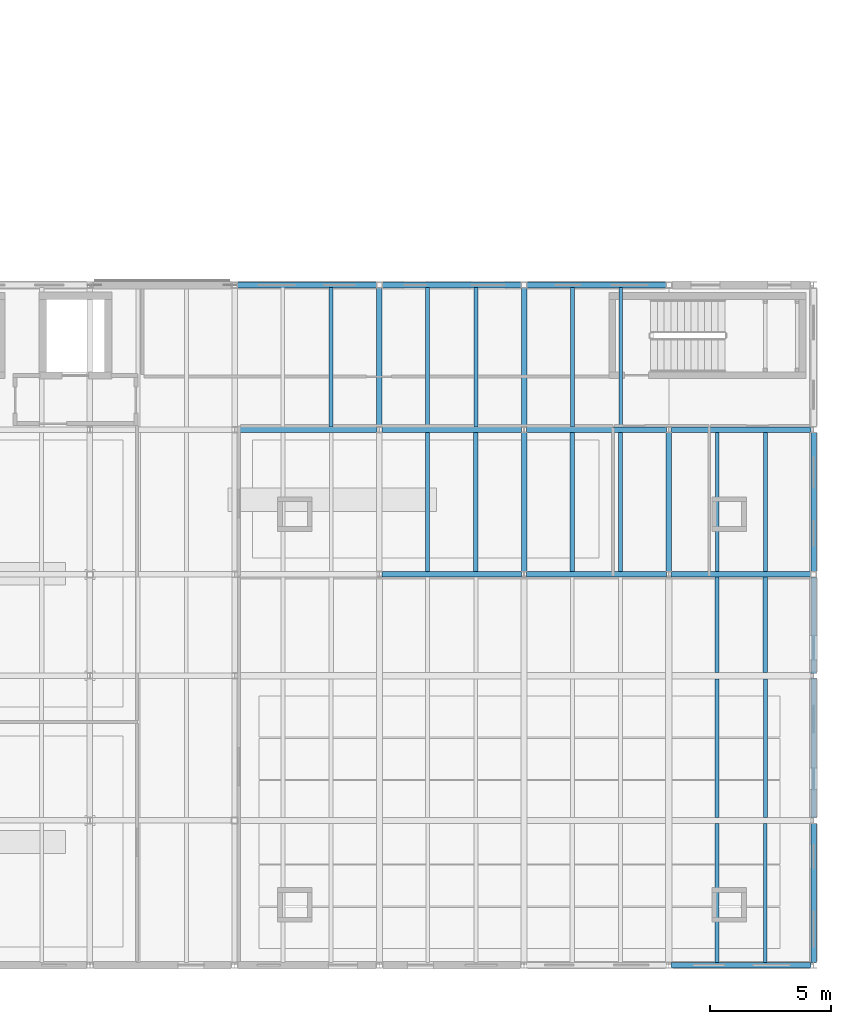
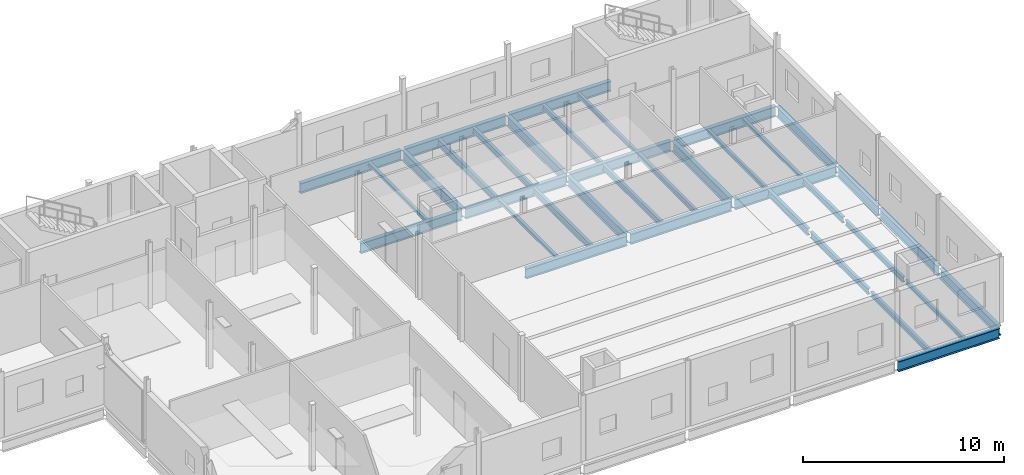
# One storey, part 37 of 92: 36 beams.
"""IFC4 building model written with IfcOpenShell, lengths in metres."""

from ifc_helpers import new_model, si_unit, direction, frame, origin, origin_2d, place, context, subcontext, project, spatial, i_section, extrude, material, material_profile, profile_set, type_object, element, save


model = new_model("IFC4")

# Units and contexts
model_context = context("Model", 3, precision=1e-05, world=origin(), true_north=direction((0.0, 1.0)))
body_context = subcontext(model_context, "Body", "Model", "MODEL_VIEW")
ifc_project = project(units=[si_unit("LENGTHUNIT", "METRE"), si_unit("AREAUNIT", "SQUARE_METRE"), si_unit("VOLUMEUNIT", "CUBIC_METRE"), si_unit("PLANEANGLEUNIT", "RADIAN"), si_unit("MASSUNIT", "GRAM", prefix="KILO")], contexts=[model_context])

# Site, building, storey
site_placement = place(None, origin())
site = spatial("IfcSite", under=ifc_project, at=site_placement, CompositionType="ELEMENT")
building_placement = place(site_placement, origin())
building = spatial("IfcBuilding", under=site, at=building_placement, Name="Siltcreek Boulevard Central Fire Station", CompositionType="ELEMENT")
storey_placement = place(building_placement, frame((0.0, 0.0, 6.0)))
storey = spatial("IfcBuildingStorey", under=building, at=storey_placement, Name="L02", CompositionType="ELEMENT", Elevation=6.0)

# Beams
ifc_material = material(Name="Structural steel ASTM A992 Gr50", Category="steel")
ifc_material_profile_1 = material_profile(ifc_material, i_section(OverallWidth=0.22802734375, OverallDepth=0.60791015625, WebThickness=0.01123046875, FlangeThickness=0.017333984375, at=origin_2d()), Name="W610X113")
ifc_profile_set_1 = profile_set([ifc_material_profile_1], Name="Structural steel ASTM A992 Gr50")
beam_type_1 = type_object("IfcBeamType", Name="BM_W610X113", PredefinedType="BEAM", material=ifc_profile_set_1)
for number, where, z_axis, x_axis, name in (
    (1, (148.199951171875, 24.10009765625, -0.6240234375), (0.0, 1.0, 0.0), (-1.0, 0.0, 0.0), "L02 primary steel girder GY-0301"),
    (2, (154.199951171875, 18.10009765625, -0.6240234375), (0.0, 1.0, 0.0), (-1.0, 0.0, 0.0), "L02 primary steel girder GY-0303"),
    (3, (154.199951171875, 24.10009765625, -0.6240234375), (0.0, 1.0, 0.0), (-1.0, 0.0, 0.0), "L02 primary steel girder GY-0304"),
    (4, (160.199951171875, 18.10009765625, -0.6240234375), (0.0, 1.0, 0.0), (-1.0, 0.0, 0.0), "L02 primary steel girder GY-0306"),
):
    element("IfcBeam", number, at=place(storey_placement, frame(where, z_axis=z_axis, x_axis=x_axis)), inside=storey, type_object=beam_type_1, Name=name, PredefinedType="BEAM", context=body_context, shape_type="SweptSolid", body=[
        extrude(i_section(OverallWidth=0.22802734375, OverallDepth=0.60791015625, WebThickness=0.01123046875, FlangeThickness=0.017333984375, at=origin_2d()), origin(), (0.0, 0.0, 1.0), 5.7998046875),
    ])
for number, where, z_axis, x_axis, name in (
    (5, (166.199951171875, 1.89990234375, -0.6240234375), (0.0, 1.0, 0.0), (-1.0, 0.0, 0.0), "L02 primary steel girder GY-0307"),
    (6, (166.199951171875, 7.89990234375, -0.6240234375), (0.0, 1.0, 0.0), (-1.0, 0.0, 0.0), "L02 primary steel girder GY-0308"),
):
    element("IfcBeam", number, at=place(storey_placement, frame(where, z_axis=z_axis, x_axis=x_axis)), inside=storey, type_object=beam_type_1, Name=name, PredefinedType="BEAM", context=body_context, shape_type="SweptSolid", body=[
        extrude(i_section(OverallWidth=0.22802734375, OverallDepth=0.60791015625, WebThickness=0.01123046875, FlangeThickness=0.017333984375, at=origin_2d()), origin(), (0.0, 0.0, 1.0), 5.800048828125),
    ])
beam_1_placement = place(storey_placement, frame((166.199951171875, 13.89990234375, -0.6240234375), z_axis=(0.0, 1.0, 0.0), x_axis=(-1.0, 0.0, 0.0)))
element("IfcBeam", 7, at=beam_1_placement, inside=storey, type_object=beam_type_1, Name="L02 primary steel girder GY-0309", PredefinedType="BEAM", context=body_context, shape_type="SweptSolid", body=[
    extrude(i_section(OverallWidth=0.22802734375, OverallDepth=0.60791015625, WebThickness=0.01123046875, FlangeThickness=0.017333984375, at=origin_2d()), origin(), (0.0, 0.0, 1.0), 4.0),
])
beam_2_placement = place(storey_placement, frame((166.199951171875, 18.10009765625, -0.6240234375), z_axis=(0.0, 1.0, 0.0), x_axis=(-1.0, 0.0, 0.0)))
element("IfcBeam", 8, at=beam_2_placement, inside=storey, type_object=beam_type_1, Name="L02 primary steel girder GY-0310", PredefinedType="BEAM", context=body_context, shape_type="SweptSolid", body=[
    extrude(i_section(OverallWidth=0.22802734375, OverallDepth=0.60791015625, WebThickness=0.01123046875, FlangeThickness=0.017333984375, at=origin_2d()), origin(), (0.0, 0.0, 1.0), 5.7998046875),
])
ifc_material_profile_2 = material_profile(ifc_material, i_section(OverallWidth=0.22998046875, OverallDepth=0.616943359375, WebThickness=0.01318359375, FlangeThickness=0.022216796875, at=origin_2d()), Name="W610X140")
ifc_profile_set_2 = profile_set([ifc_material_profile_2], Name="Structural steel ASTM A992 Gr50")
beam_type_2 = type_object("IfcBeamType", Name="BM_W610X140", PredefinedType="BEAM", material=ifc_profile_set_2)
for number, where, z_axis, x_axis, name in (
    (9, (160.300048828125, 1.800048828125, -0.62841796875), (1.0, 0.0, 0.0), (0.0, 1.0, 0.0), "L02 primary steel girder GX-0240"),
    (10, (148.300048828125, 18.0, -0.62841796875), (1.0, 0.0, 0.0), (0.0, 1.0, 0.0), "L02 primary steel girder GX-0255"),
    (11, (154.300048828125, 18.0, -0.62841796875), (1.0, 0.0, 0.0), (0.0, 1.0, 0.0), "L02 primary steel girder GX-0256"),
    (12, (160.300048828125, 18.0, -0.62841796875), (1.0, 0.0, 0.0), (0.0, 1.0, 0.0), "L02 primary steel girder GX-0257"),
    (13, (142.300048828125, 24.0, -0.62841796875), (1.0, 0.0, 0.0), (0.0, 1.0, 0.0), "L02 primary steel girder GX-0263"),
    (14, (148.300048828125, 24.0, -0.62841796875), (1.0, 0.0, 0.0), (0.0, 1.0, 0.0), "L02 primary steel girder GX-0264"),
    (15, (154.300048828125, 24.0, -0.62841796875), (1.0, 0.0, 0.0), (0.0, 1.0, 0.0), "L02 primary steel girder GX-0265"),
    (16, (160.300048828125, 24.0, -0.62841796875), (1.0, 0.0, 0.0), (0.0, 1.0, 0.0), "L02 primary steel girder GX-0266"),
    (17, (142.300048828125, 30.0, -0.62841796875), (1.0, 0.0, 0.0), (0.0, 1.0, 0.0), "L02 primary steel girder GX-0272"),
    (18, (148.300048828125, 30.0, -0.62841796875), (1.0, 0.0, 0.0), (0.0, 1.0, 0.0), "L02 primary steel girder GX-0273"),
    (19, (154.300048828125, 30.0, -0.62841796875), (1.0, 0.0, 0.0), (0.0, 1.0, 0.0), "L02 primary steel girder GX-0274"),
):
    element("IfcBeam", number, at=place(storey_placement, frame(where, z_axis=z_axis, x_axis=x_axis)), inside=storey, type_object=beam_type_2, Name=name, PredefinedType="BEAM", context=body_context, shape_type="SweptSolid", body=[
        extrude(i_section(OverallWidth=0.22998046875, OverallDepth=0.616943359375, WebThickness=0.01318359375, FlangeThickness=0.022216796875, at=origin_2d()), origin(), (0.0, 0.0, 1.0), 5.800048828125),
    ])
ifc_material_profile_3 = material_profile(ifc_material, i_section(OverallWidth=0.1650390625, OverallDepth=0.200927734375, WebThickness=0.006103515625, FlangeThickness=0.01025390625, at=origin_2d()), Name="W200X36")
ifc_profile_set_3 = profile_set([ifc_material_profile_3], Name="Structural steel ASTM A992 Gr50")
beam_type_3 = type_object("IfcBeamType", Name="JST_W200X36", PredefinedType="JOIST", material=ifc_profile_set_3)
for number, where, z_axis, x_axis, name in (
    (20, (150.199951171875, 18.113037109375, -0.42041015625), (0.0, 1.0, 0.0), (-1.0, 0.0, 0.0), "L02 secondary steel floor joist 0247"),
    (21, (164.199951171875, 18.113037109375, -0.42041015625), (0.0, 1.0, 0.0), (-1.0, 0.0, 0.0), "L02 secondary steel floor joist 0252"),
    (22, (146.199951171875, 24.113037109375, -0.42041015625), (0.0, 1.0, 0.0), (-1.0, 0.0, 0.0), "L02 secondary steel floor joist 0262"),
):
    element("IfcBeam", number, at=place(storey_placement, frame(where, z_axis=z_axis, x_axis=x_axis)), inside=storey, type_object=beam_type_3, Name=name, PredefinedType="JOIST", context=body_context, shape_type="SweptSolid", body=[
        extrude(i_section(OverallWidth=0.1650390625, OverallDepth=0.200927734375, WebThickness=0.006103515625, FlangeThickness=0.01025390625, at=origin_2d()), origin(), (0.0, 0.0, 1.0), 5.77392578125),
    ])
ifc_material_profile_4 = material_profile(ifc_material, i_section(OverallWidth=0.14697265625, OverallDepth=0.261962890625, WebThickness=0.006591796875, FlangeThickness=0.01123046875, at=origin_2d()), Name="W250X39")
ifc_profile_set_4 = profile_set([ifc_material_profile_4], Name="Structural steel ASTM A992 Gr50")
beam_type_4 = type_object("IfcBeamType", Name="JST_W250X39", PredefinedType="JOIST", material=ifc_profile_set_4)
beam_3_placement = place(storey_placement, frame((164.199951171875, 1.9130859375, -0.450927734375), z_axis=(0.0, 1.0, 0.0), x_axis=(-1.0, 0.0, 0.0)))
element("IfcBeam", 23, at=beam_3_placement, inside=storey, type_object=beam_type_4, Name="L02 secondary steel floor joist 0206", PredefinedType="JOIST", context=body_context, shape_type="SweptSolid", body=[
    extrude(i_section(OverallWidth=0.14697265625, OverallDepth=0.261962890625, WebThickness=0.006591796875, FlangeThickness=0.01123046875, at=origin_2d()), origin(), (0.0, 0.0, 1.0), 5.760986328125),
])
for number, where, z_axis, x_axis, name in (
    (24, (162.199951171875, 18.113037109375, -0.450927734375), (0.0, 1.0, 0.0), (-1.0, 0.0, 0.0), "L02 secondary steel floor joist 0251"),
    (25, (158.199951171875, 24.113037109375, -0.450927734375), (0.0, 1.0, 0.0), (-1.0, 0.0, 0.0), "L02 secondary steel floor joist 0266"),
):
    element("IfcBeam", number, at=place(storey_placement, frame(where, z_axis=z_axis, x_axis=x_axis)), inside=storey, type_object=beam_type_4, Name=name, PredefinedType="JOIST", context=body_context, shape_type="SweptSolid", body=[
        extrude(i_section(OverallWidth=0.14697265625, OverallDepth=0.261962890625, WebThickness=0.006591796875, FlangeThickness=0.01123046875, at=origin_2d()), origin(), (0.0, 0.0, 1.0), 5.77392578125),
    ])
ifc_material_profile_5 = material_profile(ifc_material, i_section(OverallWidth=0.166015625, OverallDepth=0.31298828125, WebThickness=0.006591796875, FlangeThickness=0.01123046875, at=origin_2d()), Name="W310X45")
ifc_profile_set_5 = profile_set([ifc_material_profile_5], Name="Structural steel ASTM A992 Gr50")
beam_type_5 = type_object("IfcBeamType", Name="JST_W310X45", PredefinedType="JOIST", material=ifc_profile_set_5)
beam_4_placement = place(storey_placement, frame((162.199951171875, 1.9130859375, -0.4765625), z_axis=(0.0, 1.0, 0.0), x_axis=(-1.0, 0.0, 0.0)))
element("IfcBeam", 26, at=beam_4_placement, inside=storey, type_object=beam_type_5, Name="L02 secondary steel floor joist 0205", PredefinedType="JOIST", context=body_context, shape_type="SweptSolid", body=[
    extrude(i_section(OverallWidth=0.166015625, OverallDepth=0.31298828125, WebThickness=0.006591796875, FlangeThickness=0.01123046875, at=origin_2d()), origin(), (0.0, 0.0, 1.0), 5.760986328125),
])
beam_5_placement = place(storey_placement, frame((164.199951171875, 7.926025390625, -0.4765625), z_axis=(0.0, 1.0, 0.0), x_axis=(-1.0, 0.0, 0.0)))
element("IfcBeam", 27, at=beam_5_placement, inside=storey, type_object=beam_type_5, Name="L02 secondary steel floor joist 0220", PredefinedType="JOIST", context=body_context, shape_type="SweptSolid", body=[
    extrude(i_section(OverallWidth=0.166015625, OverallDepth=0.31298828125, WebThickness=0.006591796875, FlangeThickness=0.01123046875, at=origin_2d()), origin(), (0.0, 0.0, 1.0), 5.748046875),
])
for number, where, z_axis, x_axis, name in (
    (28, (158.199951171875, 18.113037109375, -0.4765625), (0.0, 1.0, 0.0), (-1.0, 0.0, 0.0), "L02 secondary steel floor joist 0250"),
    (29, (156.199951171875, 24.113037109375, -0.4765625), (0.0, 1.0, 0.0), (-1.0, 0.0, 0.0), "L02 secondary steel floor joist 0265"),
):
    element("IfcBeam", number, at=place(storey_placement, frame(where, z_axis=z_axis, x_axis=x_axis)), inside=storey, type_object=beam_type_5, Name=name, PredefinedType="JOIST", context=body_context, shape_type="SweptSolid", body=[
        extrude(i_section(OverallWidth=0.166015625, OverallDepth=0.31298828125, WebThickness=0.006591796875, FlangeThickness=0.01123046875, at=origin_2d()), origin(), (0.0, 0.0, 1.0), 5.77392578125),
    ])
ifc_material_profile_6 = material_profile(ifc_material, i_section(OverallWidth=0.172119140625, OverallDepth=0.35791015625, WebThickness=0.0078125, FlangeThickness=0.01318359375, at=origin_2d()), Name="W360X57")
ifc_profile_set_6 = profile_set([ifc_material_profile_6], Name="Structural steel ASTM A992 Gr50")
beam_type_6 = type_object("IfcBeamType", Name="JST_W360X57", PredefinedType="JOIST", material=ifc_profile_set_6)
beam_6_placement = place(storey_placement, frame((162.199951171875, 7.926025390625, -0.4990234375), z_axis=(0.0, 1.0, 0.0), x_axis=(-1.0, 0.0, 0.0)))
element("IfcBeam", 30, at=beam_6_placement, inside=storey, type_object=beam_type_6, Name="L02 secondary steel floor joist 0219", PredefinedType="JOIST", context=body_context, shape_type="SweptSolid", body=[
    extrude(i_section(OverallWidth=0.172119140625, OverallDepth=0.35791015625, WebThickness=0.0078125, FlangeThickness=0.01318359375, at=origin_2d()), origin(), (0.0, 0.0, 1.0), 5.748046875),
])
beam_7_placement = place(storey_placement, frame((164.199951171875, 13.926025390625, -0.4990234375), z_axis=(0.0, 1.0, 0.0), x_axis=(-1.0, 0.0, 0.0)))
element("IfcBeam", 31, at=beam_7_placement, inside=storey, type_object=beam_type_6, Name="L02 secondary steel floor joist 0234", PredefinedType="JOIST", context=body_context, shape_type="SweptSolid", body=[
    extrude(i_section(OverallWidth=0.172119140625, OverallDepth=0.35791015625, WebThickness=0.0078125, FlangeThickness=0.01318359375, at=origin_2d()), origin(), (0.0, 0.0, 1.0), 3.9609375),
])
for number, where, z_axis, x_axis, name in (
    (32, (156.199951171875, 18.113037109375, -0.4990234375), (0.0, 1.0, 0.0), (-1.0, 0.0, 0.0), "L02 secondary steel floor joist 0249"),
    (33, (152.199951171875, 24.113037109375, -0.4990234375), (0.0, 1.0, 0.0), (-1.0, 0.0, 0.0), "L02 secondary steel floor joist 0264"),
):
    element("IfcBeam", number, at=place(storey_placement, frame(where, z_axis=z_axis, x_axis=x_axis)), inside=storey, type_object=beam_type_6, Name=name, PredefinedType="JOIST", context=body_context, shape_type="SweptSolid", body=[
        extrude(i_section(OverallWidth=0.172119140625, OverallDepth=0.35791015625, WebThickness=0.0078125, FlangeThickness=0.01318359375, at=origin_2d()), origin(), (0.0, 0.0, 1.0), 5.77392578125),
    ])
ifc_material_profile_7 = material_profile(ifc_material, i_section(OverallWidth=0.177001953125, OverallDepth=0.403076171875, WebThickness=0.007568359375, FlangeThickness=0.010986328125, at=origin_2d()), Name="W410X53")
ifc_profile_set_7 = profile_set([ifc_material_profile_7], Name="Structural steel ASTM A992 Gr50")
beam_type_7 = type_object("IfcBeamType", Name="JST_W410X53", PredefinedType="JOIST", material=ifc_profile_set_7)
beam_8_placement = place(storey_placement, frame((162.199951171875, 13.926025390625, -0.521484375), z_axis=(0.0, 1.0, 0.0), x_axis=(-1.0, 0.0, 0.0)))
element("IfcBeam", 34, at=beam_8_placement, inside=storey, type_object=beam_type_7, Name="L02 secondary steel floor joist 0233", PredefinedType="JOIST", context=body_context, shape_type="SweptSolid", body=[
    extrude(i_section(OverallWidth=0.177001953125, OverallDepth=0.403076171875, WebThickness=0.007568359375, FlangeThickness=0.010986328125, at=origin_2d()), origin(), (0.0, 0.0, 1.0), 3.9609375),
])
for number, where, z_axis, x_axis, name in (
    (35, (152.199951171875, 18.113037109375, -0.521484375), (0.0, 1.0, 0.0), (-1.0, 0.0, 0.0), "L02 secondary steel floor joist 0248"),
    (36, (150.199951171875, 24.113037109375, -0.521484375), (0.0, 1.0, 0.0), (-1.0, 0.0, 0.0), "L02 secondary steel floor joist 0263"),
):
    element("IfcBeam", number, at=place(storey_placement, frame(where, z_axis=z_axis, x_axis=x_axis)), inside=storey, type_object=beam_type_7, Name=name, PredefinedType="JOIST", context=body_context, shape_type="SweptSolid", body=[
        extrude(i_section(OverallWidth=0.177001953125, OverallDepth=0.403076171875, WebThickness=0.007568359375, FlangeThickness=0.010986328125, at=origin_2d()), origin(), (0.0, 0.0, 1.0), 5.77392578125),
    ])

save(model, "model.ifc")
